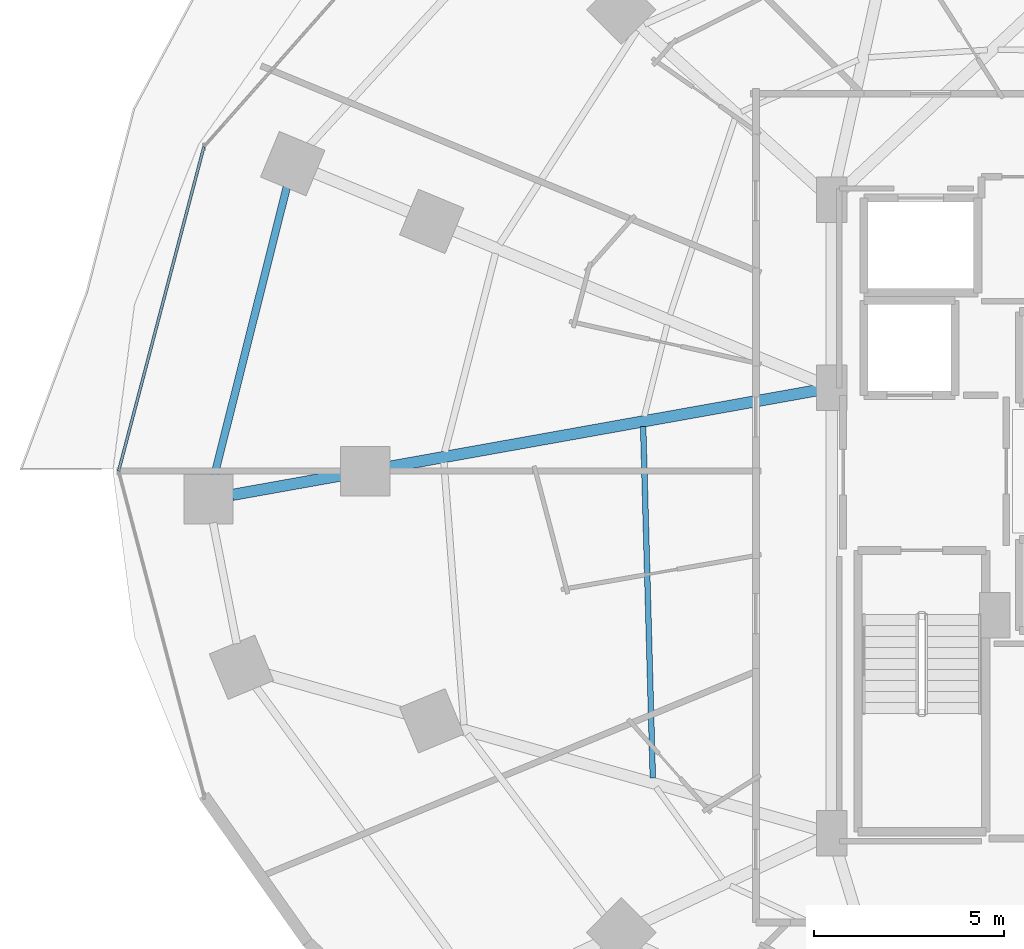
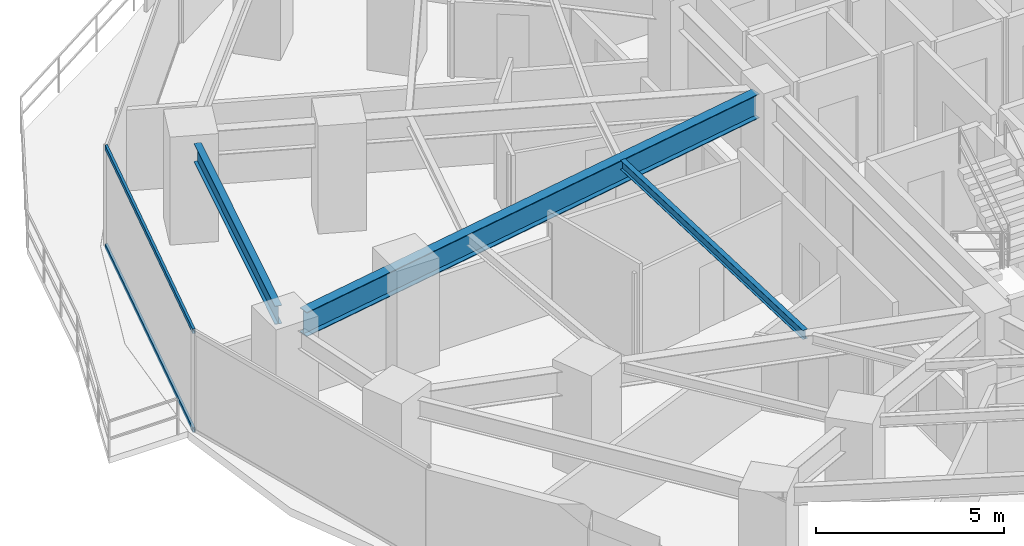
# One storey, part 9 of 34: 3 beams, 2 members, 1 element without a shape of its own.
"""IFC4 building model written with IfcOpenShell, lengths in metres."""

from ifc_helpers import new_model, si_unit, direction, frame, origin, origin_2d, place, context, subcontext, project, spatial, hollow_rectangle, i_section, extrude, material, material_profile, profile_set, type_object, element, aggregate, save


model = new_model("IFC4")

# Units and contexts
model_context = context("Model", 3, precision=1e-05, world=origin(), true_north=direction((0.0, 1.0)))
body_context = subcontext(model_context, "Body", "Model", "MODEL_VIEW")
ifc_project = project(units=[si_unit("LENGTHUNIT", "METRE"), si_unit("AREAUNIT", "SQUARE_METRE"), si_unit("VOLUMEUNIT", "CUBIC_METRE"), si_unit("PLANEANGLEUNIT", "RADIAN"), si_unit("MASSUNIT", "GRAM", prefix="KILO")], contexts=[model_context])

# Site, building, storey
site_placement = place(None, origin())
site = spatial("IfcSite", under=ifc_project, at=site_placement, CompositionType="ELEMENT")
building_placement = place(site_placement, origin())
building = spatial("IfcBuilding", under=site, at=building_placement, Name="Vorneva Point Tower", CompositionType="ELEMENT")
storey_placement = place(building_placement, frame((0.0, 0.0, 31.0)))
storey = spatial("IfcBuildingStorey", under=building, at=storey_placement, Name="L07", CompositionType="ELEMENT", Elevation=31.0)

# Beams
ifc_material_1 = material(Name="Steel S355", Category="steel")
ifc_material_profile_1 = material_profile(ifc_material_1, i_section(OverallWidth=0.300048828125, OverallDepth=0.7880859375, WebThickness=0.014404296875, FlangeThickness=0.02197265625, at=origin_2d()), Name="80Sh1")
ifc_profile_set_1 = profile_set([ifc_material_profile_1], Name="Steel S355")
beam_type_1 = type_object("IfcBeamType", Name="BM-GRD-80Sh1", PredefinedType="USERDEFINED", material=ifc_profile_set_1)
beam_1_placement = place(storey_placement, frame((11.44580078125, 25.373291015625, 2.845947265625), z_axis=(0.984378664832, 0.176064318428, 0.0), x_axis=(-0.176064318428, 0.984378664832, 0.0)))
element("IfcBeam", 1, at=beam_1_placement, inside=storey, type_object=beam_type_1, Name="L07 Radial Primary Girder 09", ObjectType="GIRDER", PredefinedType="USERDEFINED", context=body_context, shape_type="SweptSolid", body=[
    extrude(i_section(OverallWidth=0.300048828125, OverallDepth=0.7880859375, WebThickness=0.014404296875, FlangeThickness=0.02197265625, at=origin_2d()), origin(), (0.0, 0.0, 1.0), 15.715087890625),
])
ifc_material_profile_2 = material_profile(ifc_material_1, i_section(OverallWidth=0.14892578125, OverallDepth=0.298095703125, WebThickness=0.005615234375, FlangeThickness=0.008056640625, at=origin_2d()), Name="30B1")
ifc_profile_set_2 = profile_set([ifc_material_profile_2], Name="Steel S355")
beam_type_2 = type_object("IfcBeamType", Name="BM-JST-30B1", PredefinedType="JOIST", material=ifc_profile_set_2)
beam_2_placement = place(storey_placement, frame((22.2783203125, 27.172119140625, 3.091064453125), z_axis=(0.027469258155, -0.999622648731, 0.0), x_axis=(0.999622648731, 0.027469258155, 0.0)))
element("IfcBeam", 2, at=beam_2_placement, inside=storey, type_object=beam_type_2, Name="L07 Secondary Floor Beam 2.09", PredefinedType="JOIST", context=body_context, shape_type="SweptSolid", body=[
    extrude(i_section(OverallWidth=0.14892578125, OverallDepth=0.298095703125, WebThickness=0.005615234375, FlangeThickness=0.008056640625, at=origin_2d()), origin(), (0.0, 0.0, 1.0), 9.260986328125),
])
ifc_material_profile_3 = material_profile(ifc_material_1, i_section(OverallWidth=0.198974609375, OverallDepth=0.595947265625, WebThickness=0.010009765625, FlangeThickness=0.014892578125, at=origin_2d()), Name="60B1")
ifc_profile_set_3 = profile_set([ifc_material_profile_3], Name="Steel S355")
beam_type_3 = type_object("IfcBeamType", Name="BM-SPN-60B1", PredefinedType="SPANDREL", material=ifc_profile_set_3)
beam_3_placement = place(storey_placement, frame((12.884521484375, 33.489501953125, 2.94189453125), z_axis=(-0.243574722416, -0.969882134385, 0.0), x_axis=(0.969882134385, -0.243574722416, 0.0)))
element("IfcBeam", 3, at=beam_3_placement, inside=storey, type_object=beam_type_3, Name="L07 Perimeter Spandrel Ring Beam 08", PredefinedType="SPANDREL", context=body_context, shape_type="SweptSolid", body=[
    extrude(i_section(OverallWidth=0.198974609375, OverallDepth=0.595947265625, WebThickness=0.010009765625, FlangeThickness=0.014892578125, at=origin_2d()), origin(), (0.0, 0.0, 1.0), 7.84912109375),
])

# Curtain wall, members
ifc_material_2 = material(Name="Pale anodised aluminium", Category="aluminium")
curtain_wall_type = type_object("IfcCurtainWallType", Name="CW-HTL-SYS", PredefinedType="NOTDEFINED", material=ifc_material_2)
curtain_wall_placement = place(storey_placement, origin())
curtain_wall = element("IfcCurtainWall", 4, at=curtain_wall_placement, inside=storey, type_object=curtain_wall_type, Name="L07 Unitised Curtain Wall CW-L07-R03", PredefinedType="NOTDEFINED")
ifc_material_profile_4 = material_profile(ifc_material_2, hollow_rectangle(XDim=0.074951171875, YDim=0.14990234375, WallThickness=0.00390625, at=origin_2d()), Name="AL-TRN 150x75x4")
ifc_profile_set_4 = profile_set([ifc_material_profile_4], Name="Pale anodised aluminium")
member_type = type_object("IfcMemberType", Name="CW-TRN-150", PredefinedType="USERDEFINED", material=ifc_profile_set_4)
member_1_placement = place(storey_placement, frame((10.699462890625, 34.552978515625, 0.02001953125), z_axis=(-0.254358772746, -0.967109928978, 0.0), x_axis=(0.967109928978, -0.254358772746, 0.0)))
member_1 = element("IfcMember", 5, at=member_1_placement, type_object=member_type, Name="CW-L07-R03 Transom 02.1", ObjectType="TRANSOM", PredefinedType="USERDEFINED", context=body_context, shape_type="SweptSolid", body=[
    extrude(hollow_rectangle(XDim=0.074951171875, YDim=0.14990234375, WallThickness=0.00390625, at=origin_2d()), origin(), (0.0, 0.0, 1.0), 8.84375),
])
member_2_placement = place(storey_placement, frame((10.699462890625, 34.552978515625, 3.219970703125), z_axis=(-0.254358772746, -0.967109928978, 0.0), x_axis=(0.967109928978, -0.254358772746, 0.0)))
member_2 = element("IfcMember", 6, at=member_2_placement, type_object=member_type, Name="CW-L07-R03 Transom 02.2", ObjectType="TRANSOM", PredefinedType="USERDEFINED", context=body_context, shape_type="SweptSolid", body=[
    extrude(hollow_rectangle(XDim=0.074951171875, YDim=0.14990234375, WallThickness=0.00390625, at=origin_2d()), origin(), (0.0, 0.0, 1.0), 8.84375),
])
aggregate(curtain_wall, [member_1, member_2])

save(model, "model.ifc")
